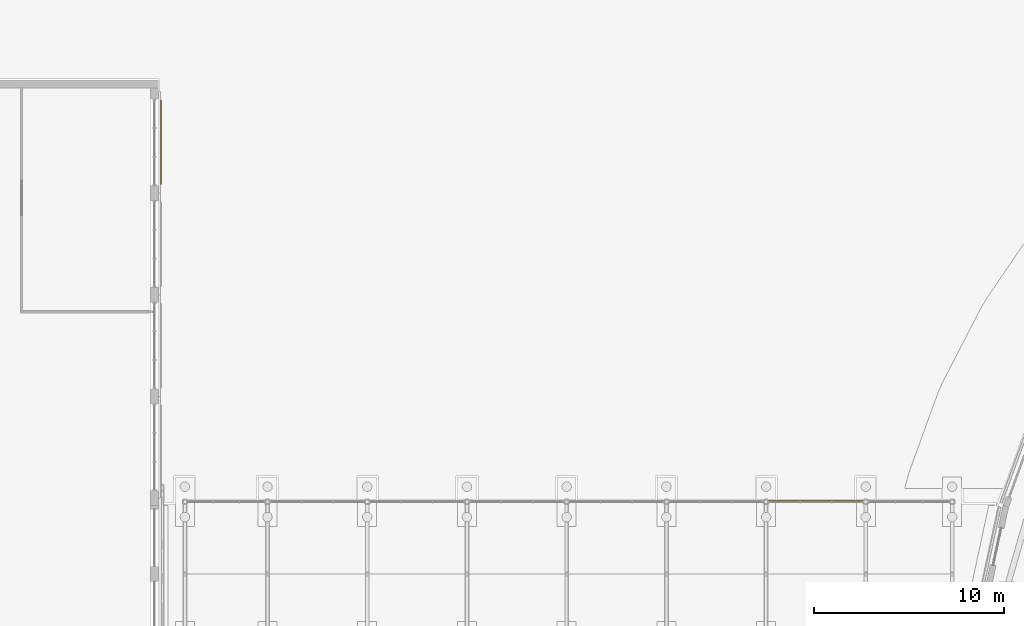
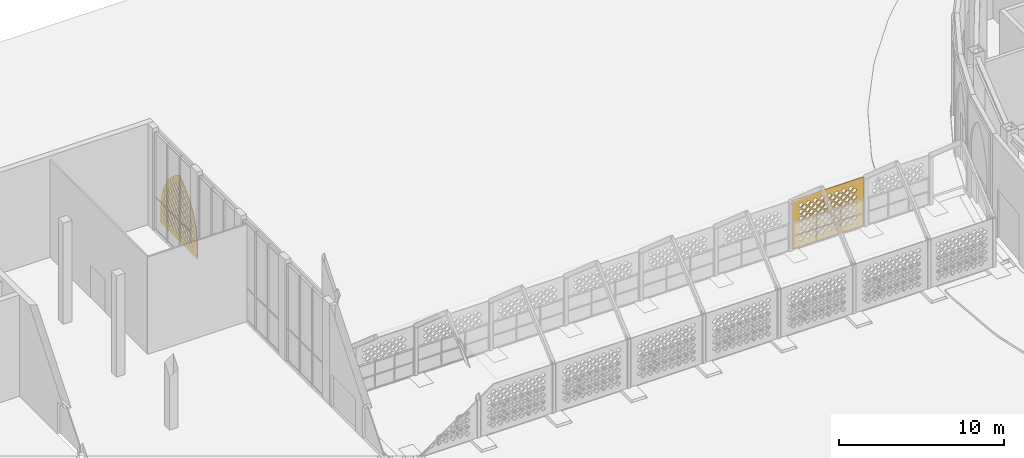
# One storey, part 71 of 79: 2 coverings.
"""IFC4 building model written with IfcOpenShell, lengths in metres."""

from ifc_helpers import new_model, si_unit, direction, frame, origin, place, context, subcontext, project, spatial, polyline, outline, extrude, material, layer, layer_set, type_object, element, save


model = new_model("IFC4")

# Units and contexts
model_context = context("Model", 3, precision=1e-05, world=origin(), true_north=direction((0.0, 1.0)))
body_context = subcontext(model_context, "Body", "Model", "MODEL_VIEW")
ifc_project = project(units=[si_unit("LENGTHUNIT", "METRE"), si_unit("AREAUNIT", "SQUARE_METRE"), si_unit("VOLUMEUNIT", "CUBIC_METRE"), si_unit("PLANEANGLEUNIT", "RADIAN"), si_unit("MASSUNIT", "GRAM", prefix="KILO")], contexts=[model_context])

# Site, building, storey
site_placement = place(None, origin())
site = spatial("IfcSite", under=ifc_project, at=site_placement, CompositionType="ELEMENT")
building_placement = place(site_placement, origin())
building = spatial("IfcBuilding", under=site, at=building_placement, Name="Noorbagh Ring Tower", CompositionType="ELEMENT")
storey_placement = place(building_placement, origin())
storey = spatial("IfcBuildingStorey", under=building, at=storey_placement, Name="L00", CompositionType="ELEMENT", Elevation=0.0)

# Coverings
ifc_material_1 = material(Name="Red sandstone jali", Category="masonry")
ifc_layer_1 = layer(ifc_material_1, 0.0400390625)
ifc_layer_set_1 = layer_set([ifc_layer_1], Name="Red sandstone jali")
covering_type_1 = type_object("IfcCoveringType", Name="AR-JALI", PredefinedType="USERDEFINED", material=ifc_layer_set_1)
covering_1_placement = place(storey_placement, frame((-57.875, 8.889892578125, 0.0), z_axis=(0.0, 1.0, 0.0), x_axis=(-1.0, 0.0, 0.0)))
element("IfcCovering", 1, at=covering_1_placement, inside=storey, type_object=covering_type_1, Name="Jali screen", ObjectType="SCREEN", PredefinedType="USERDEFINED", context=body_context, shape_type="SweptSolid", body=[
    extrude(outline(polyline([(0.0, 0.0), (5.0, 0.0), (5.0, 3.60009765625), (0.0, 3.60009765625), (0.0, 0.0)]), holes=[polyline([(0.695068359375, 0.550048828125), (0.875, 0.3701171875), (1.054931640625, 0.550048828125), (0.875, 0.72998046875), (0.695068359375, 0.550048828125)]), polyline([(1.195068359375, 0.550048828125), (1.375, 0.3701171875), (1.554931640625, 0.550048828125), (1.375, 0.72998046875), (1.195068359375, 0.550048828125)]), polyline([(1.695068359375, 0.550048828125), (1.875, 0.3701171875), (2.054931640625, 0.550048828125), (1.875, 0.72998046875), (1.695068359375, 0.550048828125)]), polyline([(2.195068359375, 0.550048828125), (2.375, 0.3701171875), (2.554931640625, 0.550048828125), (2.375, 0.72998046875), (2.195068359375, 0.550048828125)]), polyline([(2.695068359375, 0.550048828125), (2.875, 0.3701171875), (3.054931640625, 0.550048828125), (2.875, 0.72998046875), (2.695068359375, 0.550048828125)]), polyline([(3.195068359375, 0.550048828125), (3.375, 0.3701171875), (3.554931640625, 0.550048828125), (3.375, 0.72998046875), (3.195068359375, 0.550048828125)]), polyline([(3.695068359375, 0.550048828125), (3.875, 0.3701171875), (4.054931640625, 0.550048828125), (3.875, 0.72998046875), (3.695068359375, 0.550048828125)]), polyline([(4.195068359375, 0.550048828125), (4.375, 0.3701171875), (4.554931640625, 0.550048828125), (4.375, 0.72998046875), (4.195068359375, 0.550048828125)]), polyline([(0.445068359375, 0.800048828125), (0.625, 0.6201171875), (0.804931640625, 0.800048828125), (0.625, 0.97998046875), (0.445068359375, 0.800048828125)]), polyline([(0.945068359375, 0.800048828125), (1.125, 0.6201171875), (1.304931640625, 0.800048828125), (1.125, 0.97998046875), (0.945068359375, 0.800048828125)]), polyline([(1.445068359375, 0.800048828125), (1.625, 0.6201171875), (1.804931640625, 0.800048828125), (1.625, 0.97998046875), (1.445068359375, 0.800048828125)]), polyline([(1.945068359375, 0.800048828125), (2.125, 0.6201171875), (2.304931640625, 0.800048828125), (2.125, 0.97998046875), (1.945068359375, 0.800048828125)]), polyline([(2.445068359375, 0.800048828125), (2.625, 0.6201171875), (2.804931640625, 0.800048828125), (2.625, 0.97998046875), (2.445068359375, 0.800048828125)]), polyline([(2.945068359375, 0.800048828125), (3.125, 0.6201171875), (3.304931640625, 0.800048828125), (3.125, 0.97998046875), (2.945068359375, 0.800048828125)]), polyline([(3.445068359375, 0.800048828125), (3.625, 0.6201171875), (3.804931640625, 0.800048828125), (3.625, 0.97998046875), (3.445068359375, 0.800048828125)]), polyline([(3.945068359375, 0.800048828125), (4.125, 0.6201171875), (4.304931640625, 0.800048828125), (4.125, 0.97998046875), (3.945068359375, 0.800048828125)]), polyline([(0.695068359375, 1.050048828125), (0.875, 0.8701171875), (1.054931640625, 1.050048828125), (0.875, 1.22998046875), (0.695068359375, 1.050048828125)]), polyline([(1.195068359375, 1.050048828125), (1.375, 0.8701171875), (1.554931640625, 1.050048828125), (1.375, 1.22998046875), (1.195068359375, 1.050048828125)]), polyline([(1.695068359375, 1.050048828125), (1.875, 0.8701171875), (2.054931640625, 1.050048828125), (1.875, 1.22998046875), (1.695068359375, 1.050048828125)]), polyline([(2.195068359375, 1.050048828125), (2.375, 0.8701171875), (2.554931640625, 1.050048828125), (2.375, 1.22998046875), (2.195068359375, 1.050048828125)]), polyline([(2.695068359375, 1.050048828125), (2.875, 0.8701171875), (3.054931640625, 1.050048828125), (2.875, 1.22998046875), (2.695068359375, 1.050048828125)]), polyline([(3.195068359375, 1.050048828125), (3.375, 0.8701171875), (3.554931640625, 1.050048828125), (3.375, 1.22998046875), (3.195068359375, 1.050048828125)]), polyline([(3.695068359375, 1.050048828125), (3.875, 0.8701171875), (4.054931640625, 1.050048828125), (3.875, 1.22998046875), (3.695068359375, 1.050048828125)]), polyline([(4.195068359375, 1.050048828125), (4.375, 0.8701171875), (4.554931640625, 1.050048828125), (4.375, 1.22998046875), (4.195068359375, 1.050048828125)]), polyline([(0.445068359375, 1.300048828125), (0.625, 1.1201171875), (0.804931640625, 1.300048828125), (0.625, 1.47998046875), (0.445068359375, 1.300048828125)]), polyline([(0.945068359375, 1.300048828125), (1.125, 1.1201171875), (1.304931640625, 1.300048828125), (1.125, 1.47998046875), (0.945068359375, 1.300048828125)]), polyline([(1.445068359375, 1.300048828125), (1.625, 1.1201171875), (1.804931640625, 1.300048828125), (1.625, 1.47998046875), (1.445068359375, 1.300048828125)]), polyline([(1.945068359375, 1.300048828125), (2.125, 1.1201171875), (2.304931640625, 1.300048828125), (2.125, 1.47998046875), (1.945068359375, 1.300048828125)]), polyline([(2.445068359375, 1.300048828125), (2.625, 1.1201171875), (2.804931640625, 1.300048828125), (2.625, 1.47998046875), (2.445068359375, 1.300048828125)]), polyline([(2.945068359375, 1.300048828125), (3.125, 1.1201171875), (3.304931640625, 1.300048828125), (3.125, 1.47998046875), (2.945068359375, 1.300048828125)]), polyline([(3.445068359375, 1.300048828125), (3.625, 1.1201171875), (3.804931640625, 1.300048828125), (3.625, 1.47998046875), (3.445068359375, 1.300048828125)]), polyline([(3.945068359375, 1.300048828125), (4.125, 1.1201171875), (4.304931640625, 1.300048828125), (4.125, 1.47998046875), (3.945068359375, 1.300048828125)]), polyline([(0.695068359375, 1.550048828125), (0.875, 1.3701171875), (1.054931640625, 1.550048828125), (0.875, 1.72998046875), (0.695068359375, 1.550048828125)]), polyline([(1.195068359375, 1.550048828125), (1.375, 1.3701171875), (1.554931640625, 1.550048828125), (1.375, 1.72998046875), (1.195068359375, 1.550048828125)]), polyline([(1.695068359375, 1.550048828125), (1.875, 1.3701171875), (2.054931640625, 1.550048828125), (1.875, 1.72998046875), (1.695068359375, 1.550048828125)]), polyline([(2.195068359375, 1.550048828125), (2.375, 1.3701171875), (2.554931640625, 1.550048828125), (2.375, 1.72998046875), (2.195068359375, 1.550048828125)]), polyline([(2.695068359375, 1.550048828125), (2.875, 1.3701171875), (3.054931640625, 1.550048828125), (2.875, 1.72998046875), (2.695068359375, 1.550048828125)]), polyline([(3.195068359375, 1.550048828125), (3.375, 1.3701171875), (3.554931640625, 1.550048828125), (3.375, 1.72998046875), (3.195068359375, 1.550048828125)]), polyline([(3.695068359375, 1.550048828125), (3.875, 1.3701171875), (4.054931640625, 1.550048828125), (3.875, 1.72998046875), (3.695068359375, 1.550048828125)]), polyline([(4.195068359375, 1.550048828125), (4.375, 1.3701171875), (4.554931640625, 1.550048828125), (4.375, 1.72998046875), (4.195068359375, 1.550048828125)]), polyline([(0.445068359375, 1.800048828125), (0.625, 1.6201171875), (0.804931640625, 1.800048828125), (0.625, 1.97998046875), (0.445068359375, 1.800048828125)]), polyline([(0.945068359375, 1.800048828125), (1.125, 1.6201171875), (1.304931640625, 1.800048828125), (1.125, 1.97998046875), (0.945068359375, 1.800048828125)]), polyline([(1.445068359375, 1.800048828125), (1.625, 1.6201171875), (1.804931640625, 1.800048828125), (1.625, 1.97998046875), (1.445068359375, 1.800048828125)]), polyline([(1.945068359375, 1.800048828125), (2.125, 1.6201171875), (2.304931640625, 1.800048828125), (2.125, 1.97998046875), (1.945068359375, 1.800048828125)]), polyline([(2.445068359375, 1.800048828125), (2.625, 1.6201171875), (2.804931640625, 1.800048828125), (2.625, 1.97998046875), (2.445068359375, 1.800048828125)]), polyline([(2.945068359375, 1.800048828125), (3.125, 1.6201171875), (3.304931640625, 1.800048828125), (3.125, 1.97998046875), (2.945068359375, 1.800048828125)]), polyline([(3.445068359375, 1.800048828125), (3.625, 1.6201171875), (3.804931640625, 1.800048828125), (3.625, 1.97998046875), (3.445068359375, 1.800048828125)]), polyline([(3.945068359375, 1.800048828125), (4.125, 1.6201171875), (4.304931640625, 1.800048828125), (4.125, 1.97998046875), (3.945068359375, 1.800048828125)]), polyline([(0.695068359375, 2.050048828125), (0.875, 1.8701171875), (1.054931640625, 2.050048828125), (0.875, 2.22998046875), (0.695068359375, 2.050048828125)]), polyline([(1.195068359375, 2.050048828125), (1.375, 1.8701171875), (1.554931640625, 2.050048828125), (1.375, 2.22998046875), (1.195068359375, 2.050048828125)]), polyline([(1.695068359375, 2.050048828125), (1.875, 1.8701171875), (2.054931640625, 2.050048828125), (1.875, 2.22998046875), (1.695068359375, 2.050048828125)]), polyline([(2.195068359375, 2.050048828125), (2.375, 1.8701171875), (2.554931640625, 2.050048828125), (2.375, 2.22998046875), (2.195068359375, 2.050048828125)]), polyline([(2.695068359375, 2.050048828125), (2.875, 1.8701171875), (3.054931640625, 2.050048828125), (2.875, 2.22998046875), (2.695068359375, 2.050048828125)]), polyline([(3.195068359375, 2.050048828125), (3.375, 1.8701171875), (3.554931640625, 2.050048828125), (3.375, 2.22998046875), (3.195068359375, 2.050048828125)]), polyline([(3.695068359375, 2.050048828125), (3.875, 1.8701171875), (4.054931640625, 2.050048828125), (3.875, 2.22998046875), (3.695068359375, 2.050048828125)]), polyline([(4.195068359375, 2.050048828125), (4.375, 1.8701171875), (4.554931640625, 2.050048828125), (4.375, 2.22998046875), (4.195068359375, 2.050048828125)]), polyline([(0.445068359375, 2.300048828125), (0.625, 2.1201171875), (0.804931640625, 2.300048828125), (0.625, 2.47998046875), (0.445068359375, 2.300048828125)]), polyline([(0.945068359375, 2.300048828125), (1.125, 2.1201171875), (1.304931640625, 2.300048828125), (1.125, 2.47998046875), (0.945068359375, 2.300048828125)]), polyline([(1.445068359375, 2.300048828125), (1.625, 2.1201171875), (1.804931640625, 2.300048828125), (1.625, 2.47998046875), (1.445068359375, 2.300048828125)]), polyline([(1.945068359375, 2.300048828125), (2.125, 2.1201171875), (2.304931640625, 2.300048828125), (2.125, 2.47998046875), (1.945068359375, 2.300048828125)]), polyline([(2.445068359375, 2.300048828125), (2.625, 2.1201171875), (2.804931640625, 2.300048828125), (2.625, 2.47998046875), (2.445068359375, 2.300048828125)]), polyline([(2.945068359375, 2.300048828125), (3.125, 2.1201171875), (3.304931640625, 2.300048828125), (3.125, 2.47998046875), (2.945068359375, 2.300048828125)]), polyline([(3.445068359375, 2.300048828125), (3.625, 2.1201171875), (3.804931640625, 2.300048828125), (3.625, 2.47998046875), (3.445068359375, 2.300048828125)]), polyline([(3.945068359375, 2.300048828125), (4.125, 2.1201171875), (4.304931640625, 2.300048828125), (4.125, 2.47998046875), (3.945068359375, 2.300048828125)]), polyline([(0.695068359375, 2.550048828125), (0.875, 2.3701171875), (1.054931640625, 2.550048828125), (0.875, 2.72998046875), (0.695068359375, 2.550048828125)]), polyline([(1.195068359375, 2.550048828125), (1.375, 2.3701171875), (1.554931640625, 2.550048828125), (1.375, 2.72998046875), (1.195068359375, 2.550048828125)]), polyline([(1.695068359375, 2.550048828125), (1.875, 2.3701171875), (2.054931640625, 2.550048828125), (1.875, 2.72998046875), (1.695068359375, 2.550048828125)]), polyline([(2.195068359375, 2.550048828125), (2.375, 2.3701171875), (2.554931640625, 2.550048828125), (2.375, 2.72998046875), (2.195068359375, 2.550048828125)]), polyline([(2.695068359375, 2.550048828125), (2.875, 2.3701171875), (3.054931640625, 2.550048828125), (2.875, 2.72998046875), (2.695068359375, 2.550048828125)]), polyline([(3.195068359375, 2.550048828125), (3.375, 2.3701171875), (3.554931640625, 2.550048828125), (3.375, 2.72998046875), (3.195068359375, 2.550048828125)]), polyline([(3.695068359375, 2.550048828125), (3.875, 2.3701171875), (4.054931640625, 2.550048828125), (3.875, 2.72998046875), (3.695068359375, 2.550048828125)]), polyline([(4.195068359375, 2.550048828125), (4.375, 2.3701171875), (4.554931640625, 2.550048828125), (4.375, 2.72998046875), (4.195068359375, 2.550048828125)]), polyline([(0.445068359375, 2.800048828125), (0.625, 2.6201171875), (0.804931640625, 2.800048828125), (0.625, 2.97998046875), (0.445068359375, 2.800048828125)]), polyline([(0.945068359375, 2.800048828125), (1.125, 2.6201171875), (1.304931640625, 2.800048828125), (1.125, 2.97998046875), (0.945068359375, 2.800048828125)]), polyline([(1.445068359375, 2.800048828125), (1.625, 2.6201171875), (1.804931640625, 2.800048828125), (1.625, 2.97998046875), (1.445068359375, 2.800048828125)]), polyline([(1.945068359375, 2.800048828125), (2.125, 2.6201171875), (2.304931640625, 2.800048828125), (2.125, 2.97998046875), (1.945068359375, 2.800048828125)]), polyline([(2.445068359375, 2.800048828125), (2.625, 2.6201171875), (2.804931640625, 2.800048828125), (2.625, 2.97998046875), (2.445068359375, 2.800048828125)]), polyline([(2.945068359375, 2.800048828125), (3.125, 2.6201171875), (3.304931640625, 2.800048828125), (3.125, 2.97998046875), (2.945068359375, 2.800048828125)]), polyline([(3.445068359375, 2.800048828125), (3.625, 2.6201171875), (3.804931640625, 2.800048828125), (3.625, 2.97998046875), (3.445068359375, 2.800048828125)]), polyline([(3.945068359375, 2.800048828125), (4.125, 2.6201171875), (4.304931640625, 2.800048828125), (4.125, 2.97998046875), (3.945068359375, 2.800048828125)]), polyline([(0.695068359375, 3.050048828125), (0.875, 2.8701171875), (1.054931640625, 3.050048828125), (0.875, 3.22998046875), (0.695068359375, 3.050048828125)]), polyline([(1.195068359375, 3.050048828125), (1.375, 2.8701171875), (1.554931640625, 3.050048828125), (1.375, 3.22998046875), (1.195068359375, 3.050048828125)]), polyline([(1.695068359375, 3.050048828125), (1.875, 2.8701171875), (2.054931640625, 3.050048828125), (1.875, 3.22998046875), (1.695068359375, 3.050048828125)]), polyline([(2.195068359375, 3.050048828125), (2.375, 2.8701171875), (2.554931640625, 3.050048828125), (2.375, 3.22998046875), (2.195068359375, 3.050048828125)]), polyline([(2.695068359375, 3.050048828125), (2.875, 2.8701171875), (3.054931640625, 3.050048828125), (2.875, 3.22998046875), (2.695068359375, 3.050048828125)]), polyline([(3.195068359375, 3.050048828125), (3.375, 2.8701171875), (3.554931640625, 3.050048828125), (3.375, 3.22998046875), (3.195068359375, 3.050048828125)]), polyline([(3.695068359375, 3.050048828125), (3.875, 2.8701171875), (4.054931640625, 3.050048828125), (3.875, 3.22998046875), (3.695068359375, 3.050048828125)]), polyline([(4.195068359375, 3.050048828125), (4.375, 2.8701171875), (4.554931640625, 3.050048828125), (4.375, 3.22998046875), (4.195068359375, 3.050048828125)])]), origin(), (0.0, 0.0, -1.0), 0.0400390625),
])
ifc_material_2 = material(Name="Red sandstone jali", Category="masonry")
ifc_layer_2 = layer(ifc_material_2, 0.0400390625)
ifc_layer_set_2 = layer_set([ifc_layer_2], Name="Red sandstone jali")
covering_type_2 = type_object("IfcCoveringType", Name="STH-JALI", PredefinedType="USERDEFINED", material=ifc_layer_set_2)
covering_2_placement = place(storey_placement, frame((-94.840087890625, 25.5, 0.39990234375), z_axis=(1.0, 0.0, 0.0), x_axis=(0.0, 1.0, 0.0)))
element("IfcCovering", 2, at=covering_2_placement, inside=storey, type_object=covering_type_2, Name="Jali screen", ObjectType="SCREEN", PredefinedType="USERDEFINED", context=body_context, shape_type="SweptSolid", body=[
    extrude(outline(polyline([(0.0, 0.0), (4.449951171875, 0.0), (4.449951171875, 1.0), (4.411865234375, 1.580810546875), (4.29833984375, 2.15185546875), (4.111328125, 2.702880859375), (3.853759765625, 3.22509765625), (3.530517578125, 3.708984375), (3.146484375, 4.146728515625), (2.708984375, 4.530517578125), (2.22509765625, 4.85400390625), (1.740966796875, 4.530517578125), (1.303466796875, 4.146728515625), (0.919677734375, 3.708984375), (0.59619140625, 3.22509765625), (0.338623046875, 2.702880859375), (0.151611328125, 2.15185546875), (0.0380859375, 1.580810546875), (0.0, 1.0), (0.0, 0.0)]), holes=[polyline([(0.669921875, 0.552001953125), (0.85009765625, 0.371826171875), (1.030029296875, 0.552001953125), (0.85009765625, 0.73193359375), (0.669921875, 0.552001953125)]), polyline([(1.169921875, 0.552001953125), (1.35009765625, 0.371826171875), (1.530029296875, 0.552001953125), (1.35009765625, 0.73193359375), (1.169921875, 0.552001953125)]), polyline([(1.669921875, 0.552001953125), (1.85009765625, 0.371826171875), (2.030029296875, 0.552001953125), (1.85009765625, 0.73193359375), (1.669921875, 0.552001953125)]), polyline([(2.169921875, 0.552001953125), (2.35009765625, 0.371826171875), (2.530029296875, 0.552001953125), (2.35009765625, 0.73193359375), (2.169921875, 0.552001953125)]), polyline([(2.669921875, 0.552001953125), (2.85009765625, 0.371826171875), (3.030029296875, 0.552001953125), (2.85009765625, 0.73193359375), (2.669921875, 0.552001953125)]), polyline([(3.169921875, 0.552001953125), (3.35009765625, 0.371826171875), (3.530029296875, 0.552001953125), (3.35009765625, 0.73193359375), (3.169921875, 0.552001953125)]), polyline([(3.669921875, 0.552001953125), (3.85009765625, 0.371826171875), (4.030029296875, 0.552001953125), (3.85009765625, 0.73193359375), (3.669921875, 0.552001953125)]), polyline([(0.419921875, 0.802001953125), (0.60009765625, 0.621826171875), (0.780029296875, 0.802001953125), (0.60009765625, 0.98193359375), (0.419921875, 0.802001953125)]), polyline([(0.919921875, 0.802001953125), (1.10009765625, 0.621826171875), (1.280029296875, 0.802001953125), (1.10009765625, 0.98193359375), (0.919921875, 0.802001953125)]), polyline([(1.419921875, 0.802001953125), (1.60009765625, 0.621826171875), (1.780029296875, 0.802001953125), (1.60009765625, 0.98193359375), (1.419921875, 0.802001953125)]), polyline([(1.919921875, 0.802001953125), (2.10009765625, 0.621826171875), (2.280029296875, 0.802001953125), (2.10009765625, 0.98193359375), (1.919921875, 0.802001953125)]), polyline([(2.419921875, 0.802001953125), (2.60009765625, 0.621826171875), (2.780029296875, 0.802001953125), (2.60009765625, 0.98193359375), (2.419921875, 0.802001953125)]), polyline([(2.919921875, 0.802001953125), (3.10009765625, 0.621826171875), (3.280029296875, 0.802001953125), (3.10009765625, 0.98193359375), (2.919921875, 0.802001953125)]), polyline([(3.419921875, 0.802001953125), (3.60009765625, 0.621826171875), (3.780029296875, 0.802001953125), (3.60009765625, 0.98193359375), (3.419921875, 0.802001953125)]), polyline([(0.669921875, 1.052001953125), (0.85009765625, 0.871826171875), (1.030029296875, 1.052001953125), (0.85009765625, 1.23193359375), (0.669921875, 1.052001953125)]), polyline([(1.169921875, 1.052001953125), (1.35009765625, 0.871826171875), (1.530029296875, 1.052001953125), (1.35009765625, 1.23193359375), (1.169921875, 1.052001953125)]), polyline([(1.669921875, 1.052001953125), (1.85009765625, 0.871826171875), (2.030029296875, 1.052001953125), (1.85009765625, 1.23193359375), (1.669921875, 1.052001953125)]), polyline([(2.169921875, 1.052001953125), (2.35009765625, 0.871826171875), (2.530029296875, 1.052001953125), (2.35009765625, 1.23193359375), (2.169921875, 1.052001953125)]), polyline([(2.669921875, 1.052001953125), (2.85009765625, 0.871826171875), (3.030029296875, 1.052001953125), (2.85009765625, 1.23193359375), (2.669921875, 1.052001953125)]), polyline([(3.169921875, 1.052001953125), (3.35009765625, 0.871826171875), (3.530029296875, 1.052001953125), (3.35009765625, 1.23193359375), (3.169921875, 1.052001953125)]), polyline([(3.669921875, 1.052001953125), (3.85009765625, 0.871826171875), (4.030029296875, 1.052001953125), (3.85009765625, 1.23193359375), (3.669921875, 1.052001953125)]), polyline([(0.419921875, 1.302001953125), (0.60009765625, 1.121826171875), (0.780029296875, 1.302001953125), (0.60009765625, 1.48193359375), (0.419921875, 1.302001953125)]), polyline([(0.919921875, 1.302001953125), (1.10009765625, 1.121826171875), (1.280029296875, 1.302001953125), (1.10009765625, 1.48193359375), (0.919921875, 1.302001953125)]), polyline([(1.419921875, 1.302001953125), (1.60009765625, 1.121826171875), (1.780029296875, 1.302001953125), (1.60009765625, 1.48193359375), (1.419921875, 1.302001953125)]), polyline([(1.919921875, 1.302001953125), (2.10009765625, 1.121826171875), (2.280029296875, 1.302001953125), (2.10009765625, 1.48193359375), (1.919921875, 1.302001953125)]), polyline([(2.419921875, 1.302001953125), (2.60009765625, 1.121826171875), (2.780029296875, 1.302001953125), (2.60009765625, 1.48193359375), (2.419921875, 1.302001953125)]), polyline([(2.919921875, 1.302001953125), (3.10009765625, 1.121826171875), (3.280029296875, 1.302001953125), (3.10009765625, 1.48193359375), (2.919921875, 1.302001953125)]), polyline([(3.419921875, 1.302001953125), (3.60009765625, 1.121826171875), (3.780029296875, 1.302001953125), (3.60009765625, 1.48193359375), (3.419921875, 1.302001953125)]), polyline([(0.669921875, 1.552001953125), (0.85009765625, 1.371826171875), (1.030029296875, 1.552001953125), (0.85009765625, 1.73193359375), (0.669921875, 1.552001953125)]), polyline([(1.169921875, 1.552001953125), (1.35009765625, 1.371826171875), (1.530029296875, 1.552001953125), (1.35009765625, 1.73193359375), (1.169921875, 1.552001953125)]), polyline([(1.669921875, 1.552001953125), (1.85009765625, 1.371826171875), (2.030029296875, 1.552001953125), (1.85009765625, 1.73193359375), (1.669921875, 1.552001953125)]), polyline([(2.169921875, 1.552001953125), (2.35009765625, 1.371826171875), (2.530029296875, 1.552001953125), (2.35009765625, 1.73193359375), (2.169921875, 1.552001953125)]), polyline([(2.669921875, 1.552001953125), (2.85009765625, 1.371826171875), (3.030029296875, 1.552001953125), (2.85009765625, 1.73193359375), (2.669921875, 1.552001953125)]), polyline([(3.169921875, 1.552001953125), (3.35009765625, 1.371826171875), (3.530029296875, 1.552001953125), (3.35009765625, 1.73193359375), (3.169921875, 1.552001953125)]), polyline([(3.669921875, 1.552001953125), (3.85009765625, 1.371826171875), (4.030029296875, 1.552001953125), (3.85009765625, 1.73193359375), (3.669921875, 1.552001953125)]), polyline([(0.419921875, 1.802001953125), (0.60009765625, 1.621826171875), (0.780029296875, 1.802001953125), (0.60009765625, 1.98193359375), (0.419921875, 1.802001953125)]), polyline([(0.919921875, 1.802001953125), (1.10009765625, 1.621826171875), (1.280029296875, 1.802001953125), (1.10009765625, 1.98193359375), (0.919921875, 1.802001953125)]), polyline([(1.419921875, 1.802001953125), (1.60009765625, 1.621826171875), (1.780029296875, 1.802001953125), (1.60009765625, 1.98193359375), (1.419921875, 1.802001953125)]), polyline([(1.919921875, 1.802001953125), (2.10009765625, 1.621826171875), (2.280029296875, 1.802001953125), (2.10009765625, 1.98193359375), (1.919921875, 1.802001953125)]), polyline([(2.419921875, 1.802001953125), (2.60009765625, 1.621826171875), (2.780029296875, 1.802001953125), (2.60009765625, 1.98193359375), (2.419921875, 1.802001953125)]), polyline([(2.919921875, 1.802001953125), (3.10009765625, 1.621826171875), (3.280029296875, 1.802001953125), (3.10009765625, 1.98193359375), (2.919921875, 1.802001953125)]), polyline([(3.419921875, 1.802001953125), (3.60009765625, 1.621826171875), (3.780029296875, 1.802001953125), (3.60009765625, 1.98193359375), (3.419921875, 1.802001953125)]), polyline([(0.669921875, 2.052001953125), (0.85009765625, 1.871826171875), (1.030029296875, 2.052001953125), (0.85009765625, 2.23193359375), (0.669921875, 2.052001953125)]), polyline([(1.169921875, 2.052001953125), (1.35009765625, 1.871826171875), (1.530029296875, 2.052001953125), (1.35009765625, 2.23193359375), (1.169921875, 2.052001953125)]), polyline([(1.669921875, 2.052001953125), (1.85009765625, 1.871826171875), (2.030029296875, 2.052001953125), (1.85009765625, 2.23193359375), (1.669921875, 2.052001953125)]), polyline([(2.169921875, 2.052001953125), (2.35009765625, 1.871826171875), (2.530029296875, 2.052001953125), (2.35009765625, 2.23193359375), (2.169921875, 2.052001953125)]), polyline([(2.669921875, 2.052001953125), (2.85009765625, 1.871826171875), (3.030029296875, 2.052001953125), (2.85009765625, 2.23193359375), (2.669921875, 2.052001953125)]), polyline([(3.169921875, 2.052001953125), (3.35009765625, 1.871826171875), (3.530029296875, 2.052001953125), (3.35009765625, 2.23193359375), (3.169921875, 2.052001953125)]), polyline([(3.669921875, 2.052001953125), (3.85009765625, 1.871826171875), (4.030029296875, 2.052001953125), (3.85009765625, 2.23193359375), (3.669921875, 2.052001953125)]), polyline([(0.419921875, 2.302001953125), (0.60009765625, 2.121826171875), (0.780029296875, 2.302001953125), (0.60009765625, 2.48193359375), (0.419921875, 2.302001953125)]), polyline([(0.919921875, 2.302001953125), (1.10009765625, 2.121826171875), (1.280029296875, 2.302001953125), (1.10009765625, 2.48193359375), (0.919921875, 2.302001953125)]), polyline([(1.419921875, 2.302001953125), (1.60009765625, 2.121826171875), (1.780029296875, 2.302001953125), (1.60009765625, 2.48193359375), (1.419921875, 2.302001953125)]), polyline([(1.919921875, 2.302001953125), (2.10009765625, 2.121826171875), (2.280029296875, 2.302001953125), (2.10009765625, 2.48193359375), (1.919921875, 2.302001953125)]), polyline([(2.419921875, 2.302001953125), (2.60009765625, 2.121826171875), (2.780029296875, 2.302001953125), (2.60009765625, 2.48193359375), (2.419921875, 2.302001953125)]), polyline([(2.919921875, 2.302001953125), (3.10009765625, 2.121826171875), (3.280029296875, 2.302001953125), (3.10009765625, 2.48193359375), (2.919921875, 2.302001953125)]), polyline([(3.419921875, 2.302001953125), (3.60009765625, 2.121826171875), (3.780029296875, 2.302001953125), (3.60009765625, 2.48193359375), (3.419921875, 2.302001953125)]), polyline([(0.669921875, 2.552001953125), (0.85009765625, 2.371826171875), (1.030029296875, 2.552001953125), (0.85009765625, 2.73193359375), (0.669921875, 2.552001953125)]), polyline([(1.169921875, 2.552001953125), (1.35009765625, 2.371826171875), (1.530029296875, 2.552001953125), (1.35009765625, 2.73193359375), (1.169921875, 2.552001953125)]), polyline([(1.669921875, 2.552001953125), (1.85009765625, 2.371826171875), (2.030029296875, 2.552001953125), (1.85009765625, 2.73193359375), (1.669921875, 2.552001953125)]), polyline([(2.169921875, 2.552001953125), (2.35009765625, 2.371826171875), (2.530029296875, 2.552001953125), (2.35009765625, 2.73193359375), (2.169921875, 2.552001953125)]), polyline([(2.669921875, 2.552001953125), (2.85009765625, 2.371826171875), (3.030029296875, 2.552001953125), (2.85009765625, 2.73193359375), (2.669921875, 2.552001953125)]), polyline([(3.169921875, 2.552001953125), (3.35009765625, 2.371826171875), (3.530029296875, 2.552001953125), (3.35009765625, 2.73193359375), (3.169921875, 2.552001953125)]), polyline([(3.669921875, 2.552001953125), (3.85009765625, 2.371826171875), (4.030029296875, 2.552001953125), (3.85009765625, 2.73193359375), (3.669921875, 2.552001953125)]), polyline([(0.919921875, 2.802001953125), (1.10009765625, 2.621826171875), (1.280029296875, 2.802001953125), (1.10009765625, 2.98193359375), (0.919921875, 2.802001953125)]), polyline([(1.419921875, 2.802001953125), (1.60009765625, 2.621826171875), (1.780029296875, 2.802001953125), (1.60009765625, 2.98193359375), (1.419921875, 2.802001953125)]), polyline([(1.919921875, 2.802001953125), (2.10009765625, 2.621826171875), (2.280029296875, 2.802001953125), (2.10009765625, 2.98193359375), (1.919921875, 2.802001953125)]), polyline([(2.419921875, 2.802001953125), (2.60009765625, 2.621826171875), (2.780029296875, 2.802001953125), (2.60009765625, 2.98193359375), (2.419921875, 2.802001953125)]), polyline([(2.919921875, 2.802001953125), (3.10009765625, 2.621826171875), (3.280029296875, 2.802001953125), (3.10009765625, 2.98193359375), (2.919921875, 2.802001953125)]), polyline([(3.419921875, 2.802001953125), (3.60009765625, 2.621826171875), (3.780029296875, 2.802001953125), (3.60009765625, 2.98193359375), (3.419921875, 2.802001953125)]), polyline([(0.669921875, 3.052001953125), (0.85009765625, 2.871826171875), (1.030029296875, 3.052001953125), (0.85009765625, 3.23193359375), (0.669921875, 3.052001953125)]), polyline([(1.169921875, 3.052001953125), (1.35009765625, 2.871826171875), (1.530029296875, 3.052001953125), (1.35009765625, 3.23193359375), (1.169921875, 3.052001953125)]), polyline([(1.669921875, 3.052001953125), (1.85009765625, 2.871826171875), (2.030029296875, 3.052001953125), (1.85009765625, 3.23193359375), (1.669921875, 3.052001953125)]), polyline([(2.169921875, 3.052001953125), (2.35009765625, 2.871826171875), (2.530029296875, 3.052001953125), (2.35009765625, 3.23193359375), (2.169921875, 3.052001953125)]), polyline([(2.669921875, 3.052001953125), (2.85009765625, 2.871826171875), (3.030029296875, 3.052001953125), (2.85009765625, 3.23193359375), (2.669921875, 3.052001953125)]), polyline([(3.169921875, 3.052001953125), (3.35009765625, 2.871826171875), (3.530029296875, 3.052001953125), (3.35009765625, 3.23193359375), (3.169921875, 3.052001953125)]), polyline([(0.919921875, 3.302001953125), (1.10009765625, 3.121826171875), (1.280029296875, 3.302001953125), (1.10009765625, 3.48193359375), (0.919921875, 3.302001953125)]), polyline([(1.419921875, 3.302001953125), (1.60009765625, 3.121826171875), (1.780029296875, 3.302001953125), (1.60009765625, 3.48193359375), (1.419921875, 3.302001953125)]), polyline([(1.919921875, 3.302001953125), (2.10009765625, 3.121826171875), (2.280029296875, 3.302001953125), (2.10009765625, 3.48193359375), (1.919921875, 3.302001953125)]), polyline([(2.419921875, 3.302001953125), (2.60009765625, 3.121826171875), (2.780029296875, 3.302001953125), (2.60009765625, 3.48193359375), (2.419921875, 3.302001953125)]), polyline([(2.919921875, 3.302001953125), (3.10009765625, 3.121826171875), (3.280029296875, 3.302001953125), (3.10009765625, 3.48193359375), (2.919921875, 3.302001953125)]), polyline([(1.169921875, 3.552001953125), (1.35009765625, 3.371826171875), (1.530029296875, 3.552001953125), (1.35009765625, 3.73193359375), (1.169921875, 3.552001953125)]), polyline([(1.669921875, 3.552001953125), (1.85009765625, 3.371826171875), (2.030029296875, 3.552001953125), (1.85009765625, 3.73193359375), (1.669921875, 3.552001953125)]), polyline([(2.169921875, 3.552001953125), (2.35009765625, 3.371826171875), (2.530029296875, 3.552001953125), (2.35009765625, 3.73193359375), (2.169921875, 3.552001953125)]), polyline([(2.669921875, 3.552001953125), (2.85009765625, 3.371826171875), (3.030029296875, 3.552001953125), (2.85009765625, 3.73193359375), (2.669921875, 3.552001953125)]), polyline([(1.419921875, 3.802001953125), (1.60009765625, 3.621826171875), (1.780029296875, 3.802001953125), (1.60009765625, 3.98193359375), (1.419921875, 3.802001953125)]), polyline([(1.919921875, 3.802001953125), (2.10009765625, 3.621826171875), (2.280029296875, 3.802001953125), (2.10009765625, 3.98193359375), (1.919921875, 3.802001953125)]), polyline([(2.419921875, 3.802001953125), (2.60009765625, 3.621826171875), (2.780029296875, 3.802001953125), (2.60009765625, 3.98193359375), (2.419921875, 3.802001953125)]), polyline([(2.919921875, 3.802001953125), (3.10009765625, 3.621826171875), (3.280029296875, 3.802001953125), (3.10009765625, 3.98193359375), (2.919921875, 3.802001953125)]), polyline([(1.669921875, 4.052001953125), (1.85009765625, 3.871826171875), (2.030029296875, 4.052001953125), (1.85009765625, 4.23193359375), (1.669921875, 4.052001953125)]), polyline([(2.169921875, 4.052001953125), (2.35009765625, 3.871826171875), (2.530029296875, 4.052001953125), (2.35009765625, 4.23193359375), (2.169921875, 4.052001953125)]), polyline([(2.669921875, 4.052001953125), (2.85009765625, 3.871826171875), (3.030029296875, 4.052001953125), (2.85009765625, 4.23193359375), (2.669921875, 4.052001953125)]), polyline([(1.919921875, 4.302001953125), (2.10009765625, 4.121826171875), (2.280029296875, 4.302001953125), (2.10009765625, 4.48193359375), (1.919921875, 4.302001953125)])]), origin(), (0.0, 0.0, -1.0), 0.0400390625),
])

save(model, "model.ifc")
